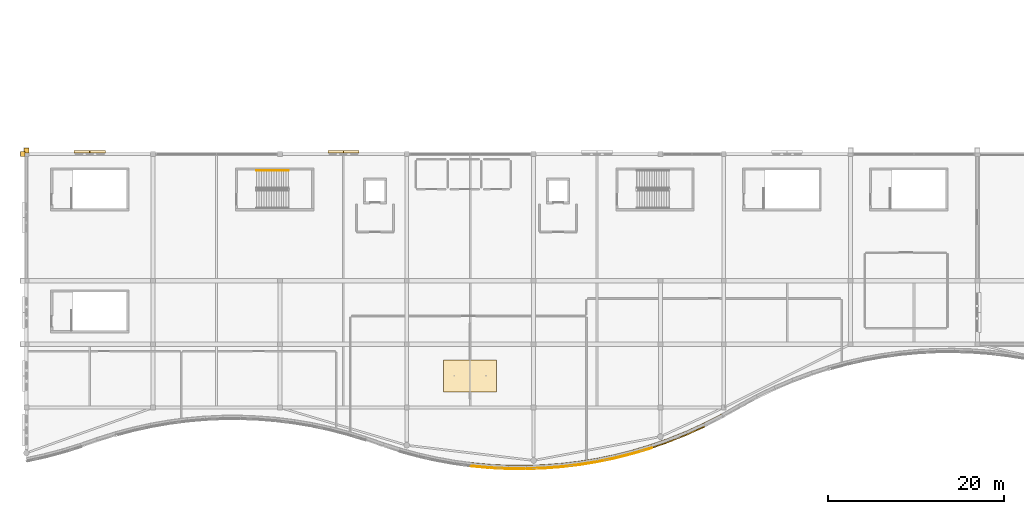
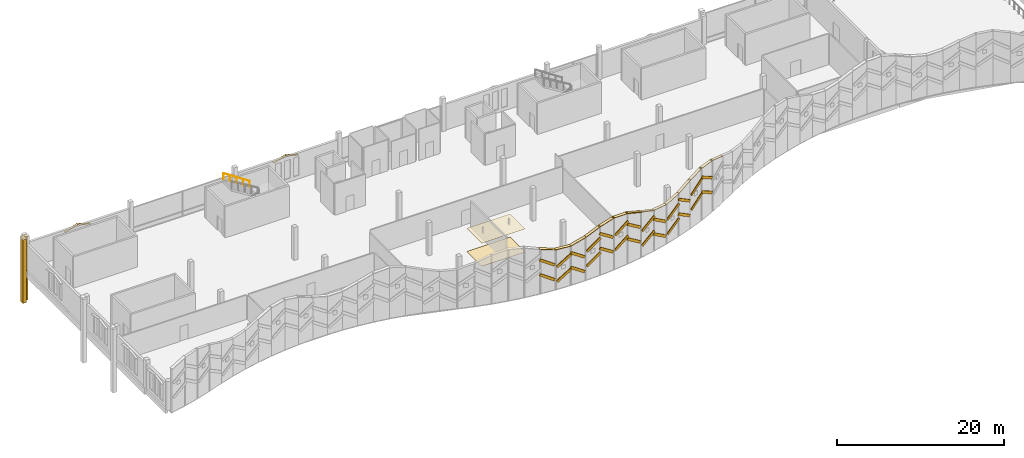
# One storey, part 106 of 116: 48 coverings, 1 railing.
"""IFC4 building model written with IfcOpenShell, lengths in metres."""

from ifc_helpers import new_model, si_unit, direction, frame, origin, origin_2d, place, context, subcontext, project, spatial, polyline, circle, outline, extrude, material, layer, layer_set, type_object, element, save


model = new_model("IFC4")

# Units and contexts
model_context = context("Model", 3, precision=1e-05, world=origin(), true_north=direction((0.0, 1.0)))
body_context = subcontext(model_context, "Body", "Model", "MODEL_VIEW")
ifc_project = project(units=[si_unit("LENGTHUNIT", "METRE"), si_unit("AREAUNIT", "SQUARE_METRE"), si_unit("VOLUMEUNIT", "CUBIC_METRE"), si_unit("PLANEANGLEUNIT", "RADIAN"), si_unit("MASSUNIT", "GRAM", prefix="KILO")], contexts=[model_context])

# Site, building, storey
site_placement = place(None, origin())
site = spatial("IfcSite", under=ifc_project, at=site_placement, CompositionType="ELEMENT")
building_placement = place(site_placement, origin())
building = spatial("IfcBuilding", under=site, at=building_placement, Name="Cendralis Lancet Convention Centre", CompositionType="ELEMENT")
storey_placement = place(building_placement, frame((0.0, 0.0, 15.0)))
storey = spatial("IfcBuildingStorey", under=building, at=storey_placement, Name="L03", CompositionType="ELEMENT", Elevation=15.0)

# Coverings
ifc_material_1 = material(Name="Warm buff sandstone chevron cassette", Category="masonry")
ifc_layer_1 = layer(ifc_material_1, 0.06005859375, Name="Warm buff sandstone chevron cassette")
ifc_layer_set_1 = layer_set([ifc_layer_1], Name="Warm buff sandstone chevron cassette")
covering_type_1 = type_object("IfcCoveringType", Name="ARC-CV-CLAD1", PredefinedType="CLADDING", material=ifc_layer_set_1)
covering_1_placement = place(storey_placement, frame((50.646484375, 0.489501953125, 2.987060546875), z_axis=(0.551705119851, -0.050434581748, 0.832512951067), x_axis=(0.828984080872, -0.076572825367, -0.554005411594)))
element("IfcCovering", 1, at=covering_1_placement, inside=storey, type_object=covering_type_1, Name="L03 Diagonal Stone Chevron Relief CL-ST1 #0155", PredefinedType="CLADDING", context=body_context, shape_type="SweptSolid", body=[
    extrude(outline(polyline([(0.0, 0.0), (2.3466263604979347, -4.0766001685454967e-17), (2.3465491440798187, 0.10983205375749333), (-9.591095555894387e-05, 0.11007516596588111), (0.0, 0.0)])), origin(), (0.0, 0.0, -1.0), 0.360107421875),
])
covering_2_placement = place(storey_placement, frame((52.6826171875, 0.30322265625, 1.298095703125), z_axis=(-0.554415391332, 0.028336786668, 0.831757537012), x_axis=(0.830727003185, -0.041395584318, 0.555138768038)))
element("IfcCovering", 2, at=covering_2_placement, inside=storey, type_object=covering_type_1, Name="L03 Diagonal Stone Chevron Relief CL-ST1 #0161", PredefinedType="CLADDING", context=body_context, shape_type="SweptSolid", body=[
    extrude(outline(polyline([(0.0, 0.0), (2.341405000581303, 1.0408340855860843e-17), (2.3415218726833515, 0.11000662600504824), (0.00011687210204807709, 0.11000662600504822), (0.0, 0.0)])), origin(), (0.0, 0.0, -1.0), 0.360107421875),
])
covering_3_placement = place(storey_placement, frame((54.71923828125, 0.20361328125, 2.820068359375), z_axis=(0.555693929595, -0.00308034329, 0.831381241126), x_axis=(0.8313616682, -0.00573930794, -0.55570211174)))
element("IfcCovering", 3, at=covering_3_placement, inside=storey, type_object=covering_type_1, Name="L03 Diagonal Stone Chevron Relief CL-ST1 #0167", PredefinedType="CLADDING", context=body_context, shape_type="SweptSolid", body=[
    extrude(outline(polyline([(0.0, 0.0), (2.339572221069478, 2.710505431213761e-18), (2.3393462189834446, 0.11010825169886358), (-2.3032928758005377e-05, 0.1101098345372985), (0.0, 0.0)])), origin(), (0.0, 0.0, -1.0), 0.360107421875),
])
covering_4_placement = place(storey_placement, frame((56.755126953125, 0.19140625, 2.197998046875), z_axis=(-0.554912688637, -0.019092445447, 0.831689477219), x_axis=(0.831191364084, 0.028780427724, 0.555241031672)))
element("IfcCovering", 4, at=covering_4_placement, inside=storey, type_object=covering_type_1, Name="L03 Diagonal Stone Chevron Relief CL-ST1 #0173", PredefinedType="CLADDING", context=body_context, shape_type="SweptSolid", body=[
    extrude(outline(polyline([(0.0, 0.0), (2.3413154918991372, -5.149960319306146e-18), (2.341433490437849, 0.10992421666886182), (-7.790256879810402e-05, 0.11017664359581143), (0.0, 0.0)])), origin(), (0.0, 0.0, -1.0), 0.360107421875),
])
covering_5_placement = place(storey_placement, frame((58.792236328125, 0.263916015625, 4.14404296875), z_axis=(0.552825193086, 0.043093277857, 0.832182236829), x_axis=(0.829722549391, 0.06393695348, -0.554502080259)))
element("IfcCovering", 5, at=covering_5_placement, inside=storey, type_object=covering_type_1, Name="L03 Diagonal Stone Chevron Relief CL-ST1 #0179", PredefinedType="CLADDING", context=body_context, shape_type="SweptSolid", body=[
    extrude(outline(polyline([(0.0, 0.0), (2.3445337256749323, -3.686287386450715e-18), (2.344452525207083, 0.1099516488630225), (-8.120046784901476e-05, 0.10995164886302251), (0.0, 0.0)])), origin(), (0.0, 0.0, -1.0), 0.360107421875),
])
covering_6_placement = place(storey_placement, frame((60.828369140625, 0.422607421875, 2.992919921875), z_axis=(-0.548851821664, -0.066156246361, 0.833297683258), x_axis=(0.827316196312, 0.099664142108, 0.552824538256)))
element("IfcCovering", 6, at=covering_6_placement, inside=storey, type_object=covering_type_1, Name="L03 Diagonal Stone Chevron Relief CL-ST1 #0185", PredefinedType="CLADDING", context=body_context, shape_type="SweptSolid", body=[
    extrude(outline(polyline([(0.0, 0.0), (2.3516481960561664, -4.063725267747231e-17), (2.351641960964268, 0.11016668157972566), (-6.235091898242756e-06, 0.11016668157972569), (0.0, 0.0)])), origin(), (0.0, 0.0, -1.0), 0.360107421875),
])
covering_7_placement = place(storey_placement, frame((62.8642578125, 0.669921875, 3.843994140625), z_axis=(0.543172719336, 0.089104738228, 0.834879477885), x_axis=(0.823943529311, 0.134688046505, -0.550432730345)))
element("IfcCovering", 7, at=covering_7_placement, inside=storey, type_object=covering_type_1, Name="L03 Diagonal Stone Chevron Relief CL-ST1 #0191", PredefinedType="CLADDING", context=body_context, shape_type="SweptSolid", body=[
    extrude(outline(polyline([(0.0, 0.0), (2.3618668666557228, 4.228388472693467e-18), (2.3618151828312772, 0.11009468771215564), (-5.168382444555204e-05, 0.11009468771215564), (0.0, 0.0)])), origin(), (0.0, 0.0, -1.0), 0.360107421875),
])
covering_8_placement = place(storey_placement, frame((64.900146484375, 1.004638671875, 1.833984375), z_axis=(-0.535516011124, -0.111717625903, 0.837103203848), x_axis=(0.819591376233, 0.170328716695, 0.547044883234)))
element("IfcCovering", 8, at=covering_8_placement, inside=storey, type_object=covering_type_1, Name="L03 Diagonal Stone Chevron Relief CL-ST1 #0197", PredefinedType="CLADDING", context=body_context, shape_type="SweptSolid", body=[
    extrude(outline(polyline([(0.0, 0.0), (2.3764939001692507, -5.1445393084437185e-17), (2.376423723765234, 0.10998390659189178), (-7.017640401671757e-05, 0.10998390659189175), (0.0, 0.0)])), origin(), (0.0, 0.0, -1.0), 0.360107421875),
])
covering_9_placement = place(storey_placement, frame((66.93701171875, 1.429931640625, 2.68798828125), z_axis=(0.526510100147, 0.133735975095, 0.839584303932), x_axis=(0.813772959225, 0.206580198374, -0.543229410539)))
element("IfcCovering", 9, at=covering_9_placement, inside=storey, type_object=covering_type_1, Name="L03 Diagonal Stone Chevron Relief CL-ST1 #0203", PredefinedType="CLADDING", context=body_context, shape_type="SweptSolid", body=[
    extrude(outline(polyline([(0.0, 0.0), (2.393185646621677, -2.6834003769016235e-18), (2.3931726456977342, 0.1100773730944064), (-1.3000923942810272e-05, 0.11007737309440638), (0.0, 0.0)])), origin(), (0.0, 0.0, -1.0), 0.360107421875),
])
covering_10_placement = place(storey_placement, frame((68.97265625, 1.94873046875, 1.5419921875), z_axis=(-0.515726631131, -0.154777749088, 0.842656448578), x_axis=(0.806951355381, 0.242692130971, 0.538451520208)))
element("IfcCovering", 10, at=covering_10_placement, inside=storey, type_object=covering_type_1, Name="L03 Diagonal Stone Chevron Relief CL-ST1 #0209", PredefinedType="CLADDING", context=body_context, shape_type="SweptSolid", body=[
    extrude(outline(polyline([(0.0, 0.0), (2.4143523621519787, -4.4181238528784306e-17), (2.414475307367854, 0.10983661618475955), (-1.4813383833359867e-05, 0.11014069893752243), (0.0, 0.0)])), origin(), (0.0, 0.0, -1.0), 0.360107421875),
])
covering_11_placement = place(storey_placement, frame((71.00830078125, 2.56298828125, 3.489990234375), z_axis=(0.502807529916, 0.176071261945, 0.846276254291), x_axis=(0.798850685672, 0.279322616905, -0.53274427044)))
element("IfcCovering", 11, at=covering_11_placement, inside=storey, type_object=covering_type_1, Name="L03 Diagonal Stone Chevron Relief CL-ST1 #0215", PredefinedType="CLADDING", context=body_context, shape_type="SweptSolid", body=[
    extrude(outline(polyline([(0.0, 0.0), (2.440320974507576, -8.00683304380545e-17), (2.4402436698248176, 0.10995164957037776), (-9.110684490151733e-06, 0.11018209786058912), (0.0, 0.0)])), origin(), (0.0, 0.0, -1.0), 0.360107421875),
])
covering_12_placement = place(storey_placement, frame((73.043701171875, 3.277099609375, 2.866943359375), z_axis=(-0.487776465358, -0.196278913006, 0.850616663458), x_axis=(0.789436902966, 0.316762179858, 0.525786171032)))
element("IfcCovering", 12, at=covering_12_placement, inside=storey, type_object=covering_type_1, Name="L03 Diagonal Stone Chevron Relief CL-ST1 #0221", PredefinedType="CLADDING", context=body_context, shape_type="SweptSolid", body=[
    extrude(outline(polyline([(0.0, 0.0), (2.4725421076503356, -5.583641188300348e-17), (2.4724886876020626, 0.10998472630370565), (-0.00013075456484028247, 0.10975817007703312), (0.0, 0.0)])), origin(), (0.0, 0.0, -1.0), 0.360107421875),
])
covering_13_placement = place(storey_placement, frame((75.080322265625, 4.096435546875, 4.385009765625), z_axis=(0.471515128784, 0.215056900201, 0.855233309106), x_axis=(0.77819199137, 0.354741096616, -0.518243165839)))
element("IfcCovering", 13, at=covering_13_placement, inside=storey, type_object=covering_type_1, Name="L03 Diagonal Stone Chevron Relief CL-ST1 #0227", PredefinedType="CLADDING", context=body_context, shape_type="SweptSolid", body=[
    extrude(outline(polyline([(0.0, 0.0), (2.5085691694957983, 1.49890950346121e-17), (2.5085501136428876, 0.11001752245332676), (-1.9055852910551674e-05, 0.11001752245332683), (0.0, 0.0)])), origin(), (0.0, 0.0, -1.0), 0.360107421875),
])
for number, where, z_axis, x_axis, name in (
    (14, (5.39990234375, 36.419921875, 3.27001953125), (-0.261446137658, 0.0, 0.965218067125), (0.0, -1.0, 0.0), "L03 Gothic Pointed Lancet Hood-Mould #0281L"),
    (15, (7.2099609375, 36.419921875, 3.7548828125), (0.261446137658, 0.0, 0.965218067125), (0.0, -1.0, 0.0), "L03 Gothic Pointed Lancet Hood-Mould #0282R"),
):
    element("IfcCovering", number, at=place(storey_placement, frame(where, z_axis=z_axis, x_axis=x_axis)), inside=storey, type_object=covering_type_1, Name=name, PredefinedType="CLADDING", context=body_context, shape_type="SweptSolid", body=[
        extrude(outline(polyline([(0.0, 0.0), (0.284912109375, 0.0), (0.284912109375, 1.854543676158746), (0.0, 1.854543676158746), (0.0, 0.0)])), origin(), (0.0, 0.0, -1.0), 0.090087890625),
    ])
for number, where, z_axis, x_axis, name in (
    (16, (34.239990234375, 36.419921875, 3.27001953125), (-0.267005870064, 0.0, 0.963694902628), (0.0, -1.0, 0.0), "L03 Gothic Pointed Lancet Hood-Mould #0283L"),
    (17, (36.010009765625, 36.419921875, 3.7548828125), (0.267005870064, 0.0, 0.963694902628), (0.0, -1.0, 0.0), "L03 Gothic Pointed Lancet Hood-Mould #0284R"),
):
    element("IfcCovering", number, at=place(storey_placement, frame(where, z_axis=z_axis, x_axis=x_axis)), inside=storey, type_object=covering_type_1, Name=name, PredefinedType="CLADDING", context=body_context, shape_type="SweptSolid", body=[
        extrude(outline(polyline([(0.0, 0.0), (0.284912109375, 0.0), (0.284912109375, 1.8159274218714019), (0.0, 1.8159274218714019), (0.0, 0.0)])), origin(), (0.0, 0.0, -1.0), 0.090087890625),
    ])
covering_14_placement = place(storey_placement, frame((0.0, 0.0, -4.800048828125)))
element("IfcCovering", 18, at=covering_14_placement, inside=storey, type_object=covering_type_1, Name="Gothic Stepped Stone Buttress Shaft #0067", PredefinedType="CLADDING", context=body_context, shape_type="SweptSolid", body=[
    extrude(outline(polyline([(0.280029296875, 36.659912109375), (-0.280029296875, 36.659912109375), (-0.280029296875, 36.1298828125), (0.280029296875, 36.1298828125), (0.280029296875, 36.659912109375)])), origin(), (0.0, 0.0, 1.0), 9.300048828125),
])
covering_15_placement = place(storey_placement, frame((0.0, 0.0, -4.800048828125)))
element("IfcCovering", 19, at=covering_15_placement, inside=storey, type_object=covering_type_1, Name="Gothic Stepped Stone Buttress Shaft #0079", PredefinedType="CLADDING", context=body_context, shape_type="SweptSolid", body=[
    extrude(outline(polyline([(-0.659912109375, 36.280029296875), (-0.659912109375, 35.719970703125), (-0.1298828125, 35.719970703125), (-0.1298828125, 36.280029296875), (-0.659912109375, 36.280029296875)])), origin(), (0.0, 0.0, 1.0), 9.300048828125),
])
ifc_material_2 = material(Name="Dark Andean slate chevron cassette", Category="masonry")
ifc_layer_2 = layer(ifc_material_2, 0.06005859375, Name="Dark Andean slate chevron cassette")
ifc_layer_set_2 = layer_set([ifc_layer_2], Name="Dark Andean slate chevron cassette")
covering_type_2 = type_object("IfcCoveringType", Name="ARC-CV-CLAD2", PredefinedType="CLADDING", material=ifc_layer_set_2)
covering_16_placement = place(storey_placement, frame((50.526123046875, 0.545654296875, 6.560546875), z_axis=(0.316140181739, -0.029142443824, 0.94826478552), x_axis=(0.944247222391, -0.087196839629, -0.317480541396)))
element("IfcCovering", 20, at=covering_16_placement, inside=storey, type_object=covering_type_2, Name="Wave Ribbon Sinusoidal Slate Coping W-025", PredefinedType="CLADDING", context=body_context, shape_type="SweptSolid", body=[
    extrude(outline(polyline([(0.0, 0.0), (2.3238998066024084, 1.85940672581264e-17), (2.3238352748675077, 0.42023119016844945), (-6.453173490045261e-05, 0.42023119016844945), (0.0, 0.0)])), origin(), (0.0, 0.0, -1.0), 0.06005859375),
])
covering_17_placement = place(storey_placement, frame((50.646484375, 0.489501953125, 5.136962890625), z_axis=(0.551705119851, -0.050434581748, 0.832512951067), x_axis=(0.828984080872, -0.076572825367, -0.554005411594)))
element("IfcCovering", 21, at=covering_17_placement, inside=storey, type_object=covering_type_2, Name="L03 Diagonal Stone Chevron Relief CL-ST2 #0156", PredefinedType="CLADDING", context=body_context, shape_type="SweptSolid", body=[
    extrude(outline(polyline([(0.0, 0.0), (2.3466263604979347, -4.0766001685454967e-17), (2.3465491440798187, 0.10983205375749333), (-9.591095555894387e-05, 0.11007516596588111), (0.0, 0.0)])), origin(), (0.0, 0.0, -1.0), 0.360107421875),
])
covering_18_placement = place(storey_placement, frame((52.56005859375, 0.3544921875, 5.860595703125), z_axis=(0.051968765367, -0.002601463226, 0.998645322332), x_axis=(0.997407637867, -0.049703962376, -0.052033835613)))
element("IfcCovering", 22, at=covering_18_placement, inside=storey, type_object=covering_type_2, Name="Wave Ribbon Sinusoidal Slate Coping W-026", PredefinedType="CLADDING", context=body_context, shape_type="SweptSolid", body=[
    extrude(outline(polyline([(0.0, 0.0), (2.2005287862479754, -8.38012046366042e-18), (2.200622938956422, 0.4199587678023479), (9.415270844628093e-05, 0.4199587678023479), (0.0, 0.0)])), origin(), (0.0, 0.0, -1.0), 0.06005859375),
])
covering_19_placement = place(storey_placement, frame((52.6826171875, 0.30322265625, 3.447998046875), z_axis=(-0.5544874279, 0.028340468537, 0.831709390439), x_axis=(0.830678916319, -0.041393188123, 0.555210898632)))
element("IfcCovering", 23, at=covering_19_placement, inside=storey, type_object=covering_type_2, Name="L03 Diagonal Stone Chevron Relief CL-ST2 #0162", PredefinedType="CLADDING", context=body_context, shape_type="SweptSolid", body=[
    extrude(outline(polyline([(0.0, 0.0), (2.3415405413123525, -4.553649124439119e-18), (2.3416574066492264, 0.11000662601223539), (0.0001168653368736677, 0.11000662601223538), (0.0, 0.0)])), origin(), (0.0, 0.0, -1.0), 0.360107421875),
])
covering_20_placement = place(storey_placement, frame((54.594482421875, 0.24951171875, 5.724609375), z_axis=(-0.264094297267, 0.001841982893, 0.964495105872), x_axis=(0.964472175137, -0.006650792445, 0.264100720078)))
element("IfcCovering", 24, at=covering_20_placement, inside=storey, type_object=covering_type_2, Name="Wave Ribbon Sinusoidal Slate Coping W-027", PredefinedType="CLADDING", context=body_context, shape_type="SweptSolid", body=[
    extrude(outline(polyline([(0.0, 0.0), (2.275927160308441, 1.8566962203814263e-18), (2.27595994915011, 0.419932093435599), (3.116511304454171e-05, 0.4201762282468163), (0.0, 0.0)])), origin(), (0.0, 0.0, -1.0), 0.06005859375),
])
covering_21_placement = place(storey_placement, frame((54.71923828125, 0.20361328125, 4.969970703125), z_axis=(0.555693929595, -0.00308034329, 0.831381241126), x_axis=(0.8313616682, -0.00573930794, -0.55570211174)))
element("IfcCovering", 25, at=covering_21_placement, inside=storey, type_object=covering_type_2, Name="L03 Diagonal Stone Chevron Relief CL-ST2 #0168", PredefinedType="CLADDING", context=body_context, shape_type="SweptSolid", body=[
    extrude(outline(polyline([(0.0, 0.0), (2.339572221069478, 2.710505431213761e-18), (2.3393462189834446, 0.11010825169886358), (-2.3032928758005377e-05, 0.1101098345372985), (0.0, 0.0)])), origin(), (0.0, 0.0, -1.0), 0.360107421875),
])
covering_22_placement = place(storey_placement, frame((56.628662109375, 0.232177734375, 6.259765625), z_axis=(-0.373857050243, -0.012827895298, 0.927397622968), x_axis=(0.9268436888, 0.032048964622, 0.37407705142)))
element("IfcCovering", 26, at=covering_22_placement, inside=storey, type_object=covering_type_2, Name="Wave Ribbon Sinusoidal Slate Coping W-028", PredefinedType="CLADDING", context=body_context, shape_type="SweptSolid", body=[
    extrude(outline(polyline([(0.0, 0.0), (2.369115981864084, 1.6940658945086007e-18), (2.3692156870754393, 0.41992484393640606), (0.00010752966560865183, 0.4201688390479447), (0.0, 0.0)])), origin(), (0.0, 0.0, -1.0), 0.06005859375),
])
covering_23_placement = place(storey_placement, frame((56.755126953125, 0.19140625, 4.347900390625), z_axis=(-0.554912688637, -0.019092445447, 0.831689477219), x_axis=(0.831191364084, 0.028780427724, 0.555241031672)))
element("IfcCovering", 27, at=covering_23_placement, inside=storey, type_object=covering_type_2, Name="L03 Diagonal Stone Chevron Relief CL-ST2 #0174", PredefinedType="CLADDING", context=body_context, shape_type="SweptSolid", body=[
    extrude(outline(polyline([(0.0, 0.0), (2.3413154918991372, -5.149960319306146e-18), (2.341433490437849, 0.10992421666886182), (-7.790256879810402e-05, 0.11017664359581143), (0.0, 0.0)])), origin(), (0.0, 0.0, -1.0), 0.360107421875),
])
covering_24_placement = place(storey_placement, frame((58.664306640625, 0.299072265625, 7.0830078125), z_axis=(-0.233836673578, -0.018055570658, 0.972108227749), x_axis=(0.969239793197, 0.074623269114, 0.234532707718)))
element("IfcCovering", 28, at=covering_24_placement, inside=storey, type_object=covering_type_2, Name="Wave Ribbon Sinusoidal Slate Coping W-029", PredefinedType="CLADDING", context=body_context, shape_type="SweptSolid", body=[
    extrude(outline(polyline([(0.0, 0.0), (2.2639832038015477, 1.1587410718438829e-18), (2.264011005827449, 0.4201829656334809), (-0.00020882878298474072, 0.42020170990002476), (0.0, 0.0)])), origin(), (0.0, 0.0, -1.0), 0.06005859375),
])
covering_25_placement = place(storey_placement, frame((58.792236328125, 0.263916015625, 6.2939453125), z_axis=(0.552825193086, 0.043093277857, 0.832182236829), x_axis=(0.829722549391, 0.06393695348, -0.554502080259)))
element("IfcCovering", 29, at=covering_25_placement, inside=storey, type_object=covering_type_2, Name="L03 Diagonal Stone Chevron Relief CL-ST2 #0180", PredefinedType="CLADDING", context=body_context, shape_type="SweptSolid", body=[
    extrude(outline(polyline([(0.0, 0.0), (2.3445337256749323, -3.686287386450715e-18), (2.344452525207083, 0.1099516488630225), (-8.120046784901476e-05, 0.10995164886302251), (0.0, 0.0)])), origin(), (0.0, 0.0, -1.0), 0.360107421875),
])
covering_26_placement = place(storey_placement, frame((60.698974609375, 0.452392578125, 7.599609375), z_axis=(0.091103492973, 0.010961222369, 0.99578110304), x_axis=(0.988625378556, 0.119163192441, -0.09176052769)))
element("IfcCovering", 30, at=covering_26_placement, inside=storey, type_object=covering_type_2, Name="Wave Ribbon Sinusoidal Slate Coping W-030", PredefinedType="CLADDING", context=body_context, shape_type="SweptSolid", body=[
    extrude(outline(polyline([(0.0, 0.0), (2.2188430282798373, -9.71462087205957e-18), (2.2190536069138895, 0.41998491064046867), (-3.078498375926053e-05, 0.42001412603665017), (0.0, 0.0)])), origin(), (0.0, 0.0, -1.0), 0.06005859375),
])
covering_27_placement = place(storey_placement, frame((60.828369140625, 0.422607421875, 5.14306640625), z_axis=(-0.548851821664, -0.066156246361, 0.833297683258), x_axis=(0.827316196312, 0.099664142108, 0.552824538256)))
element("IfcCovering", 31, at=covering_27_placement, inside=storey, type_object=covering_type_2, Name="L03 Diagonal Stone Chevron Relief CL-ST2 #0186", PredefinedType="CLADDING", context=body_context, shape_type="SweptSolid", body=[
    extrude(outline(polyline([(0.0, 0.0), (2.3516481960561664, -4.063725267747231e-17), (2.351641960964268, 0.11016668157972566), (-6.235091898242756e-06, 0.11016668157972569), (0.0, 0.0)])), origin(), (0.0, 0.0, -1.0), 0.360107421875),
])
covering_28_placement = place(storey_placement, frame((62.733642578125, 0.694091796875, 7.439453125), z_axis=(0.326974975342, 0.053533005386, 0.943515544564), x_axis=(0.931160934745, 0.152187068827, -0.331328250662)))
element("IfcCovering", 32, at=covering_28_placement, inside=storey, type_object=covering_type_2, Name="Wave Ribbon Sinusoidal Slate Coping W-031", PredefinedType="CLADDING", context=body_context, shape_type="SweptSolid", body=[
    extrude(outline(polyline([(0.0, 0.0), (2.3549861381916517, -2.041010589703962e-17), (2.354876495371688, 0.4200700222346968), (-0.00010964281996379832, 0.4200700222346968), (0.0, 0.0)])), origin(), (0.0, 0.0, -1.0), 0.06005859375),
])
covering_29_placement = place(storey_placement, frame((62.8642578125, 0.669921875, 5.993896484375), z_axis=(0.543101613872, 0.089093073736, 0.834926979575), x_axis=(0.823990408773, 0.134695709777, -0.550360674483)))
element("IfcCovering", 33, at=covering_29_placement, inside=storey, type_object=covering_type_2, Name="L03 Diagonal Stone Chevron Relief CL-ST2 #0192", PredefinedType="CLADDING", context=body_context, shape_type="SweptSolid", body=[
    extrude(outline(polyline([(0.0, 0.0), (2.361732492460547, 4.3151246464923076e-17), (2.3616808056954754, 0.11009468771077517), (-5.168676507169914e-05, 0.11009468771077512), (0.0, 0.0)])), origin(), (0.0, 0.0, -1.0), 0.360107421875),
])
covering_30_placement = place(storey_placement, frame((64.7685546875, 1.023193359375, 6.7275390625), z_axis=(0.321269966188, 0.066752441772, 0.944632055534), x_axis=(0.924855037592, 0.19228333591, -0.328131495246)))
element("IfcCovering", 34, at=covering_30_placement, inside=storey, type_object=covering_type_2, Name="Wave Ribbon Sinusoidal Slate Coping W-032", PredefinedType="CLADDING", context=body_context, shape_type="SweptSolid", body=[
    extrude(outline(polyline([(0.0, 0.0), (2.370512248430706, -2.7745411220261862e-17), (2.3705380967009555, 0.4199187513848535), (7.279244405553054e-05, 0.4201577812944275), (0.0, 0.0)])), origin(), (0.0, 0.0, -1.0), 0.06005859375),
])
covering_31_placement = place(storey_placement, frame((64.900146484375, 1.004638671875, 3.98388671875), z_axis=(-0.535516011124, -0.111717625903, 0.837103203848), x_axis=(0.819591376233, 0.170328716695, 0.547044883234)))
element("IfcCovering", 35, at=covering_31_placement, inside=storey, type_object=covering_type_2, Name="L03 Diagonal Stone Chevron Relief CL-ST2 #0198", PredefinedType="CLADDING", context=body_context, shape_type="SweptSolid", body=[
    extrude(outline(polyline([(0.0, 0.0), (2.3764939001692507, -5.1445393084437185e-17), (2.376423723765234, 0.10998390659189178), (-7.017640401671757e-05, 0.10998390659189175), (0.0, 0.0)])), origin(), (0.0, 0.0, -1.0), 0.360107421875),
])
covering_32_placement = place(storey_placement, frame((66.8046875, 1.44287109375, 5.9921875), z_axis=(0.084524750776, 0.021441660916, 0.996190655288), x_axis=(0.965560239002, 0.245131080877, -0.087201938319)))
element("IfcCovering", 36, at=covering_32_placement, inside=storey, type_object=covering_type_2, Name="Wave Ribbon Sinusoidal Slate Coping W-033", PredefinedType="CLADDING", context=body_context, shape_type="SweptSolid", body=[
    extrude(outline(polyline([(0.0, 0.0), (2.267799517774345, -2.4897686451592904e-17), (2.2678487196111896, 0.419880564890285), (0.00010904829213698175, 0.4201171988769342), (0.0, 0.0)])), origin(), (0.0, 0.0, -1.0), 0.06005859375),
])
covering_33_placement = place(storey_placement, frame((66.93701171875, 1.429931640625, 4.837890625), z_axis=(0.526440397091, 0.133718270199, 0.839630831095), x_axis=(0.813818056002, 0.206591646409, -0.543157494065)))
element("IfcCovering", 37, at=covering_33_placement, inside=storey, type_object=covering_type_2, Name="L03 Diagonal Stone Chevron Relief CL-ST2 #0204", PredefinedType="CLADDING", context=body_context, shape_type="SweptSolid", body=[
    extrude(outline(polyline([(0.0, 0.0), (2.393053031032493, 2.0342343261259277e-17), (2.393040029388079, 0.11007737309432127), (-1.3001644413760532e-05, 0.11007737309432128), (0.0, 0.0)])), origin(), (0.0, 0.0, -1.0), 0.360107421875),
])
covering_34_placement = place(storey_placement, frame((68.840087890625, 1.955810546875, 5.780029296875), z_axis=(-0.217918524333, -0.065607033729, 0.973759330573), x_axis=(0.932500170641, 0.280447267266, 0.227580232087)))
element("IfcCovering", 38, at=covering_34_placement, inside=storey, type_object=covering_type_2, Name="Wave Ribbon Sinusoidal Slate Coping W-034", PredefinedType="CLADDING", context=body_context, shape_type="SweptSolid", body=[
    extrude(outline(polyline([(0.0, 0.0), (2.3461077592709523, -1.1180834903756764e-17), (2.3460240219216066, 0.4201716106271848), (-0.000152205920455728, 0.41993781553678766), (0.0, 0.0)])), origin(), (0.0, 0.0, -1.0), 0.06005859375),
])
covering_35_placement = place(storey_placement, frame((68.97265625, 1.94873046875, 3.69189453125), z_axis=(-0.515726631131, -0.154777749088, 0.842656448578), x_axis=(0.806951355381, 0.242692130971, 0.538451520208)))
element("IfcCovering", 39, at=covering_35_placement, inside=storey, type_object=covering_type_2, Name="L03 Diagonal Stone Chevron Relief CL-ST2 #0210", PredefinedType="CLADDING", context=body_context, shape_type="SweptSolid", body=[
    extrude(outline(polyline([(0.0, 0.0), (2.4143523621519787, -4.4181238528784306e-17), (2.414475307367854, 0.10983661618475955), (-1.4813383833359867e-05, 0.11014069893752243), (0.0, 0.0)])), origin(), (0.0, 0.0, -1.0), 0.360107421875),
])
covering_36_placement = place(storey_placement, frame((70.87548828125, 2.564208984375, 6.25390625), z_axis=(-0.336329723324, -0.11763256333, 0.9343687159), x_axis=(0.881999248695, 0.308418908325, 0.356307595049)))
element("IfcCovering", 40, at=covering_36_placement, inside=storey, type_object=covering_type_2, Name="Wave Ribbon Sinusoidal Slate Coping W-035", PredefinedType="CLADDING", context=body_context, shape_type="SweptSolid", body=[
    extrude(outline(polyline([(0.0, 0.0), (2.4776696098195026, 1.463672932855431e-17), (2.477644398359719, 0.4200354126731919), (-2.5211459783444634e-05, 0.4200354126731919), (0.0, 0.0)])), origin(), (0.0, 0.0, -1.0), 0.06005859375),
])
covering_37_placement = place(storey_placement, frame((71.00830078125, 2.56298828125, 5.639892578125), z_axis=(0.502739899635, 0.176047579426, 0.846321359233), x_axis=(0.798893262913, 0.279337504276, -0.532672613504)))
element("IfcCovering", 41, at=covering_37_placement, inside=storey, type_object=covering_type_2, Name="L03 Diagonal Stone Chevron Relief CL-ST2 #0216", PredefinedType="CLADDING", context=body_context, shape_type="SweptSolid", body=[
    extrude(outline(polyline([(0.0, 0.0), (2.4401909205550933, -4.992751004295748e-17), (2.4401136117522055, 0.1099516495680461), (-9.111170008013758e-06, 0.11018209786111285), (0.0, 0.0)])), origin(), (0.0, 0.0, -1.0), 0.360107421875),
])
covering_38_placement = place(storey_placement, frame((72.910888671875, 3.272216796875, 7.074951171875), z_axis=(-0.227265543283, -0.091105510618, 0.969561838549), x_axis=(0.899833492662, 0.361039955492, 0.244846556077)))
element("IfcCovering", 42, at=covering_38_placement, inside=storey, type_object=covering_type_2, Name="Wave Ribbon Sinusoidal Slate Coping W-036", PredefinedType="CLADDING", context=body_context, shape_type="SweptSolid", body=[
    extrude(outline(polyline([(0.0, 0.0), (2.4269383568384244, -5.987506497551198e-17), (2.4271061726629526, 0.4200360183259592), (7.967130414487933e-05, 0.41980943399951354), (0.0, 0.0)])), origin(), (0.0, 0.0, -1.0), 0.06005859375),
])
covering_39_placement = place(storey_placement, frame((73.043701171875, 3.277099609375, 5.01708984375), z_axis=(-0.487710182256, -0.196252241004, 0.85066082314), x_axis=(0.789477886478, 0.316778624523, 0.525714722838)))
element("IfcCovering", 43, at=covering_39_placement, inside=storey, type_object=covering_type_2, Name="L03 Diagonal Stone Chevron Relief CL-ST2 #0222", PredefinedType="CLADDING", context=body_context, shape_type="SweptSolid", body=[
    extrude(outline(polyline([(0.0, 0.0), (2.4724137485950664, 3.5344990823027445e-17), (2.4723603257733484, 0.10998472630306792), (-0.00013076135309585818, 0.10975817006965678), (0.0, 0.0)])), origin(), (0.0, 0.0, -1.0), 0.360107421875),
])
covering_40_placement = place(storey_placement, frame((74.947998046875, 4.08544921875, 7.64990234375), z_axis=(0.045388551625, 0.020686510115, 0.998755199076), x_axis=(0.908762015613, 0.414322998036, -0.049880379693)))
element("IfcCovering", 44, at=covering_40_placement, inside=storey, type_object=covering_type_2, Name="Wave Ribbon Sinusoidal Slate Coping W-037", PredefinedType="CLADDING", context=body_context, shape_type="SweptSolid", body=[
    extrude(outline(polyline([(0.0, 0.0), (2.3982554935129685, -2.441860461662587e-16), (2.3983697939997835, 0.4198646528181821), (-6.412163960911599e-06, 0.42018807417691484), (0.0, 0.0)])), origin(), (0.0, 0.0, -1.0), 0.06005859375),
])
covering_41_placement = place(storey_placement, frame((75.080322265625, 4.096435546875, 6.534912109375), z_axis=(0.471450358158, 0.215027358477, 0.855276443554), x_axis=(0.778231240171, 0.354758988297, -0.518171976322)))
element("IfcCovering", 45, at=covering_41_placement, inside=storey, type_object=covering_type_2, Name="L03 Diagonal Stone Chevron Relief CL-ST2 #0228", PredefinedType="CLADDING", context=body_context, shape_type="SweptSolid", body=[
    extrude(outline(polyline([(0.0, 0.0), (2.5084426539752953, -1.1942486929927831e-16), (2.5084235971612863, 0.11001752245316031), (-1.9056814009321688e-05, 0.11001752245316034), (0.0, 0.0)])), origin(), (0.0, 0.0, -1.0), 0.360107421875),
])
covering_42_placement = place(storey_placement, frame((76.98388671875, 5.009521484375, 7.56494140625), z_axis=(0.256041136788, 0.131534858507, 0.95767505829), x_axis=(0.851895153614, 0.437511331977, -0.287851492336)))
element("IfcCovering", 46, at=covering_42_placement, inside=storey, type_object=covering_type_2, Name="Wave Ribbon Sinusoidal Slate Coping W-038", PredefinedType="CLADDING", context=body_context, shape_type="SweptSolid", body=[
    extrude(outline(polyline([(0.0, 0.0), (2.5546213310608454, 1.0744443529331349e-16), (2.5545731736351946, 0.41994287916243045), (-4.815742565075776e-05, 0.4199428791624302), (0.0, 0.0)])), origin(), (0.0, 0.0, -1.0), 0.06005859375),
])
ifc_material_3 = material(Name="Perforated acoustic mineral-wood ceiling", Category="wood")
ifc_layer_3 = layer(ifc_material_3, 0.030029296875, Name="Perforated acoustic mineral-wood ceiling")
ifc_layer_set_3 = layer_set([ifc_layer_3], Name="Perforated acoustic mineral-wood ceiling")
covering_type_3 = type_object("IfcCoveringType", Name="ARC-CV-CLG1", PredefinedType="CEILING", material=ifc_layer_set_3)
covering_43_placement = place(storey_placement, frame((0.0, 0.0, 3.3798828125)))
element("IfcCovering", 47, at=covering_43_placement, inside=storey, type_object=covering_type_3, Name="L03 Acoustic Suspended Ceiling CL-ACS #12", PredefinedType="CEILING", context=body_context, shape_type="SweptSolid", body=[
    extrude(outline(polyline([(47.39990234375, 9.0), (53.39990234375, 9.0), (53.39990234375, 12.60009765625), (47.39990234375, 12.60009765625), (47.39990234375, 9.0)])), origin(), (0.0, 0.0, 1.0), 0.030029296875),
])
ifc_material_4 = material(Name="Polished Andean granite terrazzo flooring", Category="masonry")
ifc_layer_4 = layer(ifc_material_4, 0.030029296875, Name="Polished Andean granite terrazzo flooring")
ifc_layer_set_4 = layer_set([ifc_layer_4], Name="Polished Andean granite terrazzo flooring")
covering_type_4 = type_object("IfcCoveringType", Name="ARC-CV-FLR1", PredefinedType="FLOORING", material=ifc_layer_set_4)
covering_44_placement = place(storey_placement, origin())
element("IfcCovering", 48, at=covering_44_placement, inside=storey, type_object=covering_type_4, Name="L03 Terrazzo Concourse Flooring FL-TRZ #12", PredefinedType="FLOORING", context=body_context, shape_type="SweptSolid", body=[
    extrude(outline(polyline([(47.39990234375, 9.0), (53.39990234375, 9.0), (53.39990234375, 12.60009765625), (47.39990234375, 12.60009765625), (47.39990234375, 9.0)])), origin(), (0.0, 0.0, 1.0), 0.030029296875),
])

# Railing
ifc_material_5 = material(Name="Steel S355", Category="steel")
railing_type = type_object("IfcRailingType", Name="ARC-RL-CHR", PredefinedType="HANDRAIL", material=ifc_material_5)
railing_placement = place(storey_placement, frame((29.7900390625, 34.1298828125, 2.571533203125)))
element("IfcRailing", 49, at=railing_placement, inside=storey, type_object=railing_type, Name="L03 ST-11 stair handrail 2", PredefinedType="HANDRAIL", context=body_context, shape_type="SweptSolid", body=[
    extrude(circle(Radius=0.02392578125, at=origin_2d()), frame((0.0, 0.0, 0.8759765625), z_axis=(-0.83488217925, 0.0, 0.55042869363), x_axis=(0.0, -1.0, 0.0)), (0.0, 0.0, 1.0), 4.360107421875),
    extrude(circle(Radius=0.02099609375, at=origin_2d()), origin(), (0.0, 0.0, 1.0), 0.851806640625),
    extrude(circle(Radius=0.02099609375, at=origin_2d()), frame((-0.91015625, 0.0, 0.60009765625)), (0.0, 0.0, 1.0), 0.851806640625),
    extrude(circle(Radius=0.02099609375, at=origin_2d()), frame((-1.820068359375, 0.0, 1.199951171875)), (0.0, 0.0, 1.0), 0.851806640625),
    extrude(circle(Radius=0.02099609375, at=origin_2d()), frame((-2.72998046875, 0.0, 1.7998046875)), (0.0, 0.0, 1.0), 0.851806640625),
    extrude(circle(Radius=0.02099609375, at=origin_2d()), frame((-3.64013671875, 0.0, 2.39990234375)), (0.0, 0.0, 1.0), 0.851806640625),
])

save(model, "model.ifc")
